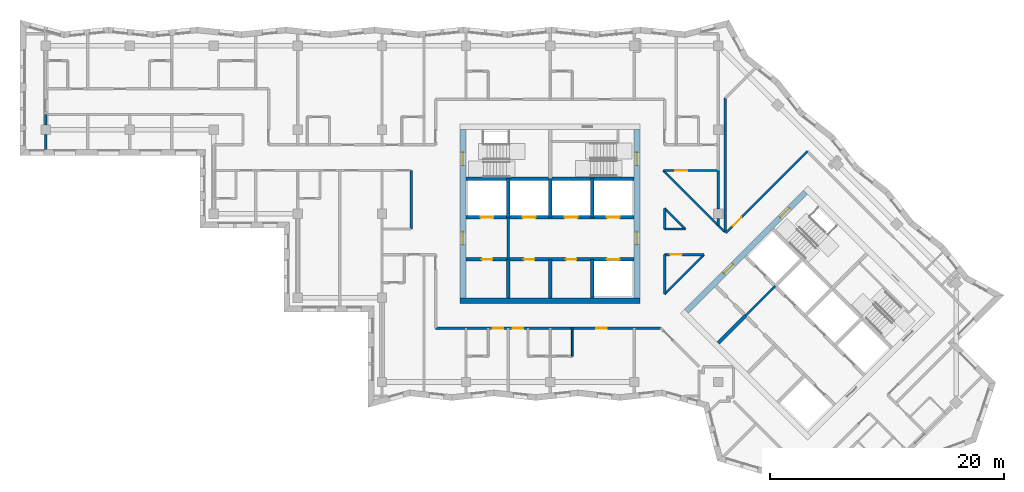
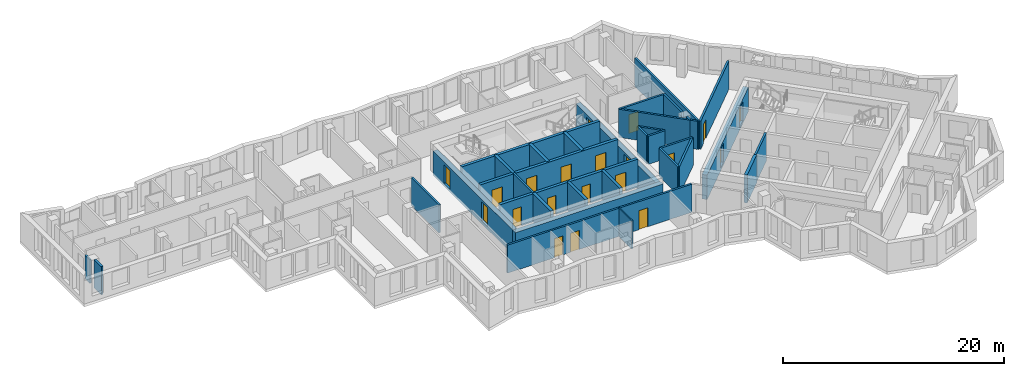
# One storey, part 4 of 12: 35 walls, 20 doors, 20 openings.
"""IFC4 building model written with IfcOpenShell, lengths in metres."""

from ifc_helpers import new_model, si_unit, direction, frame, frame_2d, origin, place, context, subcontext, project, spatial, rectangle, extrude, material, layer, layer_set, type_object, element, fill, save


model = new_model("IFC4")

# Units and contexts
model_context = context("Model", 3, precision=1e-05, world=origin(), true_north=direction((0.0, 1.0)))
body_context = subcontext(model_context, "Body", "Model", "MODEL_VIEW")
ifc_project = project(units=[si_unit("LENGTHUNIT", "METRE"), si_unit("AREAUNIT", "SQUARE_METRE"), si_unit("VOLUMEUNIT", "CUBIC_METRE"), si_unit("PLANEANGLEUNIT", "RADIAN"), si_unit("MASSUNIT", "GRAM", prefix="KILO")], contexts=[model_context])

# Site, building, storey
site_placement = place(None, origin())
site = spatial("IfcSite", under=ifc_project, at=site_placement, CompositionType="ELEMENT")
building_placement = place(site_placement, origin())
building = spatial("IfcBuilding", under=site, at=building_placement, Name="Windrow Commons", CompositionType="ELEMENT")
storey_placement = place(building_placement, frame((0.0, 0.0, 199.8)))
storey = spatial("IfcBuildingStorey", under=building, at=storey_placement, Name="L54", CompositionType="ELEMENT", Elevation=199.8)

# Walls
ifc_material_1 = material(Name="Blockwork partition", Category="masonry")
ifc_layer_1 = layer(ifc_material_1, 0.2)
ifc_layer_set_1 = layer_set([ifc_layer_1], Name="Fire lobby partition 200")
wall_type_1 = type_object("IfcWallType", Name="Fire lobby partition 200", PredefinedType="PARTITIONING", material=ifc_layer_set_1)
for number, where, z_axis, x_axis, name in (
    (1, (61.2, 53.7, 0.0), (0.0, 0.0, 1.0), (0.0, 1.0, 0.0), "W-core-lobby-A-L54"),
    (2, (81.5335, 48.8776, 0.0), (0.0, 0.0, 1.0), (0.707092892, 0.7071206701, 0.0), "W-core-lobby-B-L54"),
):
    element("IfcWall", number, at=place(storey_placement, frame(where, z_axis=z_axis, x_axis=x_axis)), inside=storey, type_object=wall_type_1, Name=name, PredefinedType="PARTITIONING", context=body_context, shape_type="SweptSolid", body=[
        extrude(rectangle(XDim=3.6, YDim=0.2, at=frame_2d((1.8, 0.0))), origin(), (0.0, 0.0, 1.0), 3.1),
    ])

# Wall, openings, doors
ifc_material_2 = material(Name="Blockwork partition", Category="masonry")
ifc_layer_2 = layer(ifc_material_2, 0.2)
ifc_layer_set_2 = layer_set([ifc_layer_2], Name="IW-CORRIDOR-200")
wall_type_2 = type_object("IfcWallType", Name="IW-CORRIDOR-200", PredefinedType="PARTITIONING", material=ifc_layer_set_2)
wall_1_placement = place(storey_placement, frame((55.0, 47.8, 0.0), z_axis=(0.0, 0.0, 1.0), x_axis=(1.0, 0.0, 0.0)))
wall_1 = element("IfcWall", 3, at=wall_1_placement, inside=storey, type_object=wall_type_2, Name="W-L54-W001", PredefinedType="PARTITIONING", context=body_context, shape_type="SweptSolid", body=[
    extrude(rectangle(XDim=19.266, YDim=0.2, at=frame_2d((9.633, 0.0))), origin(), (0.0, 0.0, 1.0), 3.1),
])
opening_1_placement = place(wall_1_placement, frame((4.9, 0.0, 0.0)))
opening_1 = element("IfcOpeningElement", 4, at=opening_1_placement, cuts=wall_1, Name="Opening D109S", PredefinedType="OPENING", context=body_context, shape_type="SweptSolid", body=[
    extrude(rectangle(XDim=0.9, YDim=2.1, at=frame_2d((0.45, 1.05))), frame((0.0, 0.11, 0.0), z_axis=(0.0, -1.0, 0.0), x_axis=(1.0, 0.0, 0.0)), (0.0, 0.0, 1.0), 0.22),
])
opening_2_placement = place(wall_1_placement, frame((6.6, 0.0, 0.0)))
opening_2 = element("IfcOpeningElement", 5, at=opening_2_placement, cuts=wall_1, Name="Opening D109S", PredefinedType="OPENING", context=body_context, shape_type="SweptSolid", body=[
    extrude(rectangle(XDim=0.9, YDim=2.1, at=frame_2d((0.45, 1.05))), frame((0.0, 0.11, 0.0), z_axis=(0.0, -1.0, 0.0), x_axis=(1.0, 0.0, 0.0)), (0.0, 0.0, 1.0), 0.22),
])
opening_3_placement = place(wall_1_placement, frame((13.7434, 0.0, 0.0)))
opening_3 = element("IfcOpeningElement", 6, at=opening_3_placement, cuts=wall_1, Name="Opening D109F", PredefinedType="OPENING", context=body_context, shape_type="SweptSolid", body=[
    extrude(rectangle(XDim=0.9, YDim=2.1, at=frame_2d((0.45, 1.05))), frame((0.0, 0.11, 0.0), z_axis=(0.0, -1.0, 0.0), x_axis=(1.0, 0.0, 0.0)), (0.0, 0.0, 1.0), 0.22),
])
ifc_material_3 = material(Name="Timber door leaf", Category="wood")
door_type_1 = type_object("IfcDoorType", Name="DT-BEDROOM-900", OperationType="SINGLE_SWING_LEFT", PredefinedType="DOOR", material=ifc_material_3)
door_1_placement = place(opening_1_placement, origin())
door_1 = element("IfcDoor", 7, at=door_1_placement, inside=storey, type_object=door_type_1, Name="D-L54-D036", OperationType="SINGLE_SWING_LEFT", OverallHeight=2.1, OverallWidth=0.9, PredefinedType="DOOR", context=body_context, shape_type="SweptSolid", body=[
    extrude(rectangle(XDim=0.9, YDim=2.1, at=frame_2d((0.45, 1.05))), frame((0.0, 0.025, 0.0), z_axis=(0.0, -1.0, 0.0), x_axis=(1.0, 0.0, 0.0)), (0.0, 0.0, 1.0), 0.05),
])
fill(opening_1, door_1)
door_2_placement = place(opening_2_placement, origin())
door_2 = element("IfcDoor", 8, at=door_2_placement, inside=storey, type_object=door_type_1, Name="D-L54-D038", OperationType="SINGLE_SWING_RIGHT", OverallHeight=2.1, OverallWidth=0.9, PredefinedType="DOOR", context=body_context, shape_type="SweptSolid", body=[
    extrude(rectangle(XDim=0.9, YDim=2.1, at=frame_2d((0.45, 1.05))), frame((0.0, 0.025, 0.0), z_axis=(0.0, -1.0, 0.0), x_axis=(1.0, 0.0, 0.0)), (0.0, 0.0, 1.0), 0.05),
])
fill(opening_2, door_2)
door_3_placement = place(opening_3_placement, origin())
door_3 = element("IfcDoor", 9, at=door_3_placement, inside=storey, type_object=door_type_1, Name="D-L54-D040", OperationType="SINGLE_SWING_LEFT", OverallHeight=2.1, OverallWidth=0.9, PredefinedType="DOOR", context=body_context, shape_type="SweptSolid", body=[
    extrude(rectangle(XDim=0.9, YDim=2.1, at=frame_2d((0.45, 1.05))), frame((0.0, 0.025, 0.0), z_axis=(0.0, -1.0, 0.0), x_axis=(1.0, 0.0, 0.0)), (0.0, 0.0, 1.0), 0.05),
])
fill(opening_3, door_3)

# Wall, opening, door
wall_2_placement = place(storey_placement, frame((79.837, 55.951, 0.0), z_axis=(0.0, 0.0, 1.0), x_axis=(0.7071067812, 0.7071067812, 0.0)))
wall_2 = element("IfcWall", 10, at=wall_2_placement, inside=storey, type_object=wall_type_2, Name="W-L54-W010", PredefinedType="PARTITIONING", context=body_context, shape_type="SweptSolid", body=[
    extrude(rectangle(XDim=9.8967, YDim=0.2, at=frame_2d((4.9483, 0.0))), origin(), (0.0, 0.0, 1.0), 3.1),
])
opening_4_placement = place(wall_2_placement, frame((0.873, 0.0, 0.0)))
opening_4 = element("IfcOpeningElement", 11, at=opening_4_placement, cuts=wall_2, Name="Opening D310F", PredefinedType="OPENING", context=body_context, shape_type="SweptSolid", body=[
    extrude(rectangle(XDim=1.0, YDim=2.1, at=frame_2d((0.5, 1.05))), frame((0.0, 0.11, 0.0), z_axis=(0.0, -1.0, 0.0), x_axis=(1.0, 0.0, 0.0)), (0.0, 0.0, 1.0), 0.22),
])
ifc_material_4 = material(Name="Timber door leaf", Category="wood")
door_type_2 = type_object("IfcDoorType", Name="DT-AMENITY-1000", OperationType="SINGLE_SWING_LEFT", PredefinedType="DOOR", material=ifc_material_4)
door_4_placement = place(opening_4_placement, origin())
door_4 = element("IfcDoor", 12, at=door_4_placement, inside=storey, type_object=door_type_2, Name="D-L54-D043", OperationType="SINGLE_SWING_RIGHT", OverallHeight=2.1, OverallWidth=1.0, PredefinedType="DOOR", context=body_context, shape_type="SweptSolid", body=[
    extrude(rectangle(XDim=1.0, YDim=2.1, at=frame_2d((0.5, 1.05))), frame((0.0, 0.025, 0.0), z_axis=(0.0, -1.0, 0.0), x_axis=(1.0, 0.0, 0.0)), (0.0, 0.0, 1.0), 0.05),
])
fill(opening_4, door_4)

# Walls
wall_3_placement = place(storey_placement, frame((74.4888, 61.3029, 0.0), z_axis=(0.0, 0.0, 1.0), x_axis=(0.7071892763, -0.7070242765, 0.0)))
element("IfcWall", 13, at=wall_3_placement, inside=storey, type_object=wall_type_2, Name="W-L54-W018", PredefinedType="PARTITIONING", context=body_context, shape_type="SweptSolid", body=[
    extrude(rectangle(XDim=6.6667, YDim=0.2, at=frame_2d((3.3333, 0.0))), origin(), (0.0, 0.0, 1.0), 3.1),
])
wall_4_placement = place(storey_placement, frame((52.9, 56.302, 0.0), z_axis=(0.0, 0.0, 1.0), x_axis=(0.0, 1.0, 0.0)))
element("IfcWall", 14, at=wall_4_placement, inside=storey, type_object=wall_type_2, Name="W-L54-W028", PredefinedType="PARTITIONING", context=body_context, shape_type="SweptSolid", body=[
    extrude(rectangle(XDim=4.998, YDim=0.2, at=frame_2d((2.499, 0.0))), origin(), (0.0, 0.0, 1.0), 3.1),
])
wall_5_placement = place(storey_placement, frame((74.601, 50.715, 0.0), z_axis=(0.0, 0.0, 1.0), x_axis=(0.7071067812, 0.7071067812, 0.0)))
element("IfcWall", 15, at=wall_5_placement, inside=storey, type_object=wall_type_2, Name="W-L54-W030", PredefinedType="PARTITIONING", context=body_context, shape_type="SweptSolid", body=[
    extrude(rectangle(XDim=4.7857, YDim=0.2, at=frame_2d((2.3929, 0.0))), origin(), (0.0, 0.0, 1.0), 3.1),
])

# Wall, opening, door
wall_6_placement = place(storey_placement, frame((74.4888, 61.3029, 0.0), z_axis=(0.0, 0.0, 1.0), x_axis=(0.9999998105, -0.0006155543, 0.0)))
wall_6 = element("IfcWall", 16, at=wall_6_placement, inside=storey, type_object=wall_type_2, Name="W-L54-W031", PredefinedType="PARTITIONING", context=body_context, shape_type="SweptSolid", body=[
    extrude(rectangle(XDim=4.7112, YDim=0.2, at=frame_2d((2.3556, 0.0))), origin(), (0.0, 0.0, 1.0), 3.1),
])
opening_5_placement = place(wall_6_placement, frame((1.0366, 0.0, 0.0)))
opening_5 = element("IfcOpeningElement", 17, at=opening_5_placement, cuts=wall_6, Name="Opening D410F", PredefinedType="OPENING", context=body_context, shape_type="SweptSolid", body=[
    extrude(rectangle(XDim=1.0, YDim=2.1, at=frame_2d((0.5, 1.05))), frame((0.0, 0.11, 0.0), z_axis=(0.0, -1.0, 0.0), x_axis=(1.0, 0.0, 0.0)), (0.0, 0.0, 1.0), 0.22),
])
ifc_material_5 = material(Name="Timber door leaf", Category="wood")
door_type_3 = type_object("IfcDoorType", Name="DT-SERVICE-1000", OperationType="SINGLE_SWING_LEFT", PredefinedType="DOOR", material=ifc_material_5)
door_5_placement = place(opening_5_placement, origin())
door_5 = element("IfcDoor", 18, at=door_5_placement, inside=storey, type_object=door_type_3, Name="D-L54-D028", OperationType="SINGLE_SWING_RIGHT", OverallHeight=2.1, OverallWidth=1.0, PredefinedType="DOOR", context=body_context, shape_type="SweptSolid", body=[
    extrude(rectangle(XDim=1.0, YDim=2.1, at=frame_2d((0.5, 1.05))), frame((0.0, 0.025, 0.0), z_axis=(0.0, -1.0, 0.0), x_axis=(1.0, 0.0, 0.0)), (0.0, 0.0, 1.0), 0.05),
])
fill(opening_5, door_5)

# Wall
wall_7_placement = place(storey_placement, frame((74.6, 50.714, 0.0), z_axis=(0.0, 0.0, 1.0), x_axis=(0.0, 1.0, 0.0)))
element("IfcWall", 19, at=wall_7_placement, inside=storey, type_object=wall_type_2, Name="W-L54-W046", PredefinedType="PARTITIONING", context=body_context, shape_type="SweptSolid", body=[
    extrude(rectangle(XDim=3.386, YDim=0.2, at=frame_2d((1.693, 0.0))), origin(), (0.0, 0.0, 1.0), 3.1),
])

# Wall, opening, door
wall_8_placement = place(storey_placement, frame((74.602, 54.1, 0.0), z_axis=(0.0, 0.0, 1.0), x_axis=(1.0, 0.0, 0.0)))
wall_8 = element("IfcWall", 20, at=wall_8_placement, inside=storey, type_object=wall_type_2, Name="W-L54-W047", PredefinedType="PARTITIONING", context=body_context, shape_type="SweptSolid", body=[
    extrude(rectangle(XDim=3.384, YDim=0.2, at=frame_2d((1.692, 0.0))), origin(), (0.0, 0.0, 1.0), 3.1),
])
opening_6_placement = place(wall_8_placement, frame((0.4665, 0.0, 0.0)))
opening_6 = element("IfcOpeningElement", 21, at=opening_6_placement, cuts=wall_8, Name="Opening D310F", PredefinedType="OPENING", context=body_context, shape_type="SweptSolid", body=[
    extrude(rectangle(XDim=1.0, YDim=2.1, at=frame_2d((0.5, 1.05))), frame((0.0, 0.11, 0.0), z_axis=(0.0, -1.0, 0.0), x_axis=(1.0, 0.0, 0.0)), (0.0, 0.0, 1.0), 0.22),
])
door_6_placement = place(opening_6_placement, origin())
door_6 = element("IfcDoor", 22, at=door_6_placement, inside=storey, type_object=door_type_2, Name="D-L54-D000", OperationType="SINGLE_SWING_RIGHT", OverallHeight=2.1, OverallWidth=1.0, PredefinedType="DOOR", context=body_context, shape_type="SweptSolid", body=[
    extrude(rectangle(XDim=1.0, YDim=2.1, at=frame_2d((0.5, 1.05))), frame((0.0, 0.025, 0.0), z_axis=(0.0, -1.0, 0.0), x_axis=(1.0, 0.0, 0.0)), (0.0, 0.0, 1.0), 0.05),
])
fill(opening_6, door_6)

# Walls
wall_9_placement = place(storey_placement, frame((74.5987, 58.0687, 0.0), z_axis=(0.0, 0.0, 1.0), x_axis=(0.7071067812, -0.7071067812, 0.0)))
element("IfcWall", 23, at=wall_9_placement, inside=storey, type_object=wall_type_2, Name="W-L54-W056", PredefinedType="PARTITIONING", context=body_context, shape_type="SweptSolid", body=[
    extrude(rectangle(XDim=2.5032, YDim=0.2, at=frame_2d((1.2516, 0.0))), origin(), (0.0, 0.0, 1.0), 3.1),
])
for number, where, z_axis, x_axis, name in (
    (24, (74.6, 56.302, 0.0), (0.0, 0.0, 1.0), (0.0, 1.0, 0.0), "W-L54-W122"),
    (25, (74.602, 56.3, 0.0), (0.0, 0.0, 1.0), (1.0, 0.0, 0.0), "W-L54-W123"),
):
    element("IfcWall", number, at=place(storey_placement, frame(where, z_axis=z_axis, x_axis=x_axis)), inside=storey, type_object=wall_type_2, Name=name, PredefinedType="PARTITIONING", context=body_context, shape_type="SweptSolid", body=[
        extrude(rectangle(XDim=1.77, YDim=0.2, at=frame_2d((0.885, 0.0))), origin(), (0.0, 0.0, 1.0), 3.1),
    ])
wall_10_placement = place(storey_placement, frame((79.2019, 56.5879, 0.0), z_axis=(0.0, 0.0, 1.0), x_axis=(0.7056768426, -0.7085338339, 0.0)))
element("IfcWall", 26, at=wall_10_placement, inside=storey, type_object=wall_type_2, Name="W-L54-W146", PredefinedType="PARTITIONING", context=body_context, shape_type="SweptSolid", body=[
    extrude(rectangle(XDim=0.7, YDim=0.2, at=frame_2d((0.35, 0.0))), origin(), (0.0, 0.0, 1.0), 3.1),
])
ifc_material_6 = material(Name="Blockwork partition", Category="masonry")
ifc_layer_3 = layer(ifc_material_6, 0.15)
ifc_layer_set_3 = layer_set([ifc_layer_3], Name="IW-ENSUITE-150")
wall_type_3 = type_object("IfcWallType", Name="IW-ENSUITE-150", PredefinedType="PARTITIONING", material=ifc_layer_set_3)
wall_11_placement = place(storey_placement, frame((66.7, 45.4, 0.0), z_axis=(0.0, 0.0, 1.0), x_axis=(0.0, 1.0, 0.0)))
element("IfcWall", 27, at=wall_11_placement, inside=storey, type_object=wall_type_3, Name="W-L54-W083", PredefinedType="PARTITIONING", context=body_context, shape_type="SweptSolid", body=[
    extrude(rectangle(XDim=2.4, YDim=0.15, at=frame_2d((1.2, 0.0))), origin(), (0.0, 0.0, 1.0), 3.1),
])
ifc_material_7 = material(Name="Blockwork partition", Category="masonry")
ifc_layer_4 = layer(ifc_material_7, 0.2)
ifc_layer_set_4 = layer_set([ifc_layer_4], Name="IW-PARTY-200")
wall_type_4 = type_object("IfcWallType", Name="IW-PARTY-200", PredefinedType="PARTITIONING", material=ifc_layer_set_4)
wall_12_placement = place(storey_placement, frame((79.8, 55.986, 0.0), z_axis=(0.0, 0.0, 1.0), x_axis=(0.0, 1.0, 0.0)))
element("IfcWall", 28, at=wall_12_placement, inside=storey, type_object=wall_type_4, Name="W-L54-W008", PredefinedType="PARTITIONING", context=body_context, shape_type="SweptSolid", body=[
    extrude(rectangle(XDim=11.522, YDim=0.2, at=frame_2d((5.761, 0.0))), origin(), (0.0, 0.0, 1.0), 3.1),
])
wall_13_placement = place(storey_placement, frame((79.2, 58.0, 0.0), z_axis=(0.0, 0.0, 1.0), x_axis=(0.0, 1.0, 0.0)))
element("IfcWall", 29, at=wall_13_placement, inside=storey, type_object=wall_type_4, Name="W-L54-W049", PredefinedType="PARTITIONING", context=body_context, shape_type="SweptSolid", body=[
    extrude(rectangle(XDim=3.3, YDim=0.2, at=frame_2d((1.65, 0.0))), origin(), (0.0, 0.0, 1.0), 3.1),
])
wall_14_placement = place(storey_placement, frame((21.6, 63.109, 0.0), z_axis=(0.0, 0.0, 1.0), x_axis=(0.0, 1.0, 0.0)))
element("IfcWall", 30, at=wall_14_placement, inside=storey, type_object=wall_type_4, Name="W-L54-W126", PredefinedType="PARTITIONING", context=body_context, shape_type="SweptSolid", body=[
    extrude(rectangle(XDim=1.291, YDim=0.2, at=frame_2d((0.6455, 0.0))), origin(), (0.0, 0.0, 1.0), 3.1),
])
wall_15_placement = place(storey_placement, frame((21.6, 65.2, 0.0), z_axis=(0.0, 0.0, 1.0), x_axis=(0.0, 1.0, 0.0)))
element("IfcWall", 31, at=wall_15_placement, inside=storey, type_object=wall_type_4, Name="W-L54-W139", PredefinedType="PARTITIONING", context=body_context, shape_type="SweptSolid", body=[
    extrude(rectangle(XDim=0.9, YDim=0.2, at=frame_2d((0.45, 0.0))), origin(), (0.0, 0.0, 1.0), 2.6),
])
wall_16_placement = place(storey_placement, frame((79.2, 56.586, 0.0), z_axis=(0.0, 0.0, 1.0), x_axis=(0.0, 1.0, 0.0)))
element("IfcWall", 32, at=wall_16_placement, inside=storey, type_object=wall_type_4, Name="W-L54-W151", PredefinedType="PARTITIONING", context=body_context, shape_type="SweptSolid", body=[
    extrude(rectangle(XDim=0.614, YDim=0.2, at=frame_2d((0.307, 0.0))), origin(), (0.0, 0.0, 1.0), 3.1),
])
ifc_material_8 = material(Name="Concrete C40/50", Category="concrete")
ifc_layer_5 = layer(ifc_material_8, 0.5)
ifc_layer_set_5 = layer_set([ifc_layer_5], Name="RC CORE WALL 500 C40/50")
wall_type_5 = type_object("IfcWallType", Name="RC CORE WALL 500 C40/50", PredefinedType="SHEAR", material=ifc_layer_set_5)
wall_17_placement = place(storey_placement, frame((57.1, 50.15, -0.3), z_axis=(0.0, 0.0, 1.0), x_axis=(1.0, 0.0, 0.0)))
element("IfcWall", 33, at=wall_17_placement, inside=storey, type_object=wall_type_5, Name="Core A wall outer-S", PredefinedType="SHEAR", context=body_context, shape_type="SweptSolid", body=[
    extrude(rectangle(XDim=15.4, YDim=0.5, at=frame_2d((7.7, 0.0))), origin(), (0.0, 0.0, 1.0), 2.7),
])

# Wall, openings, doors
wall_18_placement = place(storey_placement, frame((57.35, 50.4, -0.3), z_axis=(0.0, 0.0, 1.0), x_axis=(0.0, 1.0, 0.0)))
wall_18 = element("IfcWall", 34, at=wall_18_placement, inside=storey, type_object=wall_type_5, Name="Core A wall outer-W", PredefinedType="SHEAR", context=body_context, shape_type="SweptSolid", body=[
    extrude(rectangle(XDim=14.4, YDim=0.5, at=frame_2d((7.2, 0.0))), origin(), (0.0, 0.0, 1.0), 2.7),
])
opening_7_placement = place(wall_18_placement, frame((4.55, 0.0, 0.3)))
opening_7 = element("IfcOpeningElement", 35, at=opening_7_placement, cuts=wall_18, Name="Opening D6", PredefinedType="OPENING", context=body_context, shape_type="SweptSolid", body=[
    extrude(rectangle(XDim=1.1, YDim=2.1, at=frame_2d((0.55, 1.05))), frame((0.0, 0.26, 0.0), z_axis=(0.0, -1.0, 0.0), x_axis=(1.0, 0.0, 0.0)), (0.0, 0.0, 1.0), 0.52),
])
opening_8_placement = place(wall_18_placement, frame((11.35, 0.0, 0.3)))
opening_8 = element("IfcOpeningElement", 36, at=opening_8_placement, cuts=wall_18, Name="Opening D7", PredefinedType="OPENING", context=body_context, shape_type="SweptSolid", body=[
    extrude(rectangle(XDim=1.1, YDim=2.1, at=frame_2d((0.55, 1.05))), frame((0.0, 0.26, 0.0), z_axis=(0.0, -1.0, 0.0), x_axis=(1.0, 0.0, 0.0)), (0.0, 0.0, 1.0), 0.52),
])
ifc_material_9 = material(Name="Steel fire door leaf", Category="steel")
door_type_4 = type_object("IfcDoorType", Name="Core lobby door 1100", OperationType="SINGLE_SWING_LEFT", PredefinedType="DOOR", material=ifc_material_9)
door_7_placement = place(opening_7_placement, origin())
door_7 = element("IfcDoor", 37, at=door_7_placement, inside=storey, type_object=door_type_4, Name="Lift lobby door", OperationType="DOUBLE_DOOR_SINGLE_SWING", OverallHeight=2.1, OverallWidth=1.1, PredefinedType="DOOR", context=body_context, shape_type="SweptSolid", body=[
    extrude(rectangle(XDim=1.1, YDim=2.1, at=frame_2d((0.55, 1.05))), frame((0.0, 0.025, 0.0), z_axis=(0.0, -1.0, 0.0), x_axis=(1.0, 0.0, 0.0)), (0.0, 0.0, 1.0), 0.05),
])
fill(opening_7, door_7)
ifc_material_10 = material(Name="Steel fire door leaf", Category="steel")
door_type_5 = type_object("IfcDoorType", Name="Stair door 1100", OperationType="SINGLE_SWING_LEFT", PredefinedType="DOOR", material=ifc_material_10)
door_8_placement = place(opening_8_placement, origin())
door_8 = element("IfcDoor", 38, at=door_8_placement, inside=storey, type_object=door_type_5, Name="Stair door", OperationType="SINGLE_SWING_LEFT", OverallHeight=2.1, OverallWidth=1.1, PredefinedType="DOOR", context=body_context, shape_type="SweptSolid", body=[
    extrude(rectangle(XDim=1.1, YDim=2.1, at=frame_2d((0.55, 1.05))), frame((0.0, 0.025, 0.0), z_axis=(0.0, -1.0, 0.0), x_axis=(1.0, 0.0, 0.0)), (0.0, 0.0, 1.0), 0.05),
])
fill(opening_8, door_8)

wall_19_placement = place(storey_placement, frame((72.25, 50.4, -0.3), z_axis=(0.0, 0.0, 1.0), x_axis=(0.0, 1.0, 0.0)))
wall_19 = element("IfcWall", 39, at=wall_19_placement, inside=storey, type_object=wall_type_5, Name="Core A wall outer-E", PredefinedType="SHEAR", context=body_context, shape_type="SweptSolid", body=[
    extrude(rectangle(XDim=14.4, YDim=0.5, at=frame_2d((7.2, 0.0))), origin(), (0.0, 0.0, 1.0), 2.7),
])
opening_9_placement = place(wall_19_placement, frame((4.55, 0.0, 0.3)))
opening_9 = element("IfcOpeningElement", 40, at=opening_9_placement, cuts=wall_19, Name="Opening D6", PredefinedType="OPENING", context=body_context, shape_type="SweptSolid", body=[
    extrude(rectangle(XDim=1.1, YDim=2.1, at=frame_2d((0.55, 1.05))), frame((0.0, 0.26, 0.0), z_axis=(0.0, -1.0, 0.0), x_axis=(1.0, 0.0, 0.0)), (0.0, 0.0, 1.0), 0.52),
])
opening_10_placement = place(wall_19_placement, frame((11.35, 0.0, 0.3)))
opening_10 = element("IfcOpeningElement", 41, at=opening_10_placement, cuts=wall_19, Name="Opening D7", PredefinedType="OPENING", context=body_context, shape_type="SweptSolid", body=[
    extrude(rectangle(XDim=1.1, YDim=2.1, at=frame_2d((0.55, 1.05))), frame((0.0, 0.26, 0.0), z_axis=(0.0, -1.0, 0.0), x_axis=(1.0, 0.0, 0.0)), (0.0, 0.0, 1.0), 0.52),
])
door_9_placement = place(opening_9_placement, origin())
door_9 = element("IfcDoor", 42, at=door_9_placement, inside=storey, type_object=door_type_4, Name="Lift lobby door", OperationType="DOUBLE_DOOR_SINGLE_SWING", OverallHeight=2.1, OverallWidth=1.1, PredefinedType="DOOR", context=body_context, shape_type="SweptSolid", body=[
    extrude(rectangle(XDim=1.1, YDim=2.1, at=frame_2d((0.55, 1.05))), frame((0.0, 0.025, 0.0), z_axis=(0.0, -1.0, 0.0), x_axis=(1.0, 0.0, 0.0)), (0.0, 0.0, 1.0), 0.05),
])
fill(opening_9, door_9)
door_10_placement = place(opening_10_placement, origin())
door_10 = element("IfcDoor", 43, at=door_10_placement, inside=storey, type_object=door_type_5, Name="Stair door", OperationType="SINGLE_SWING_RIGHT", OverallHeight=2.1, OverallWidth=1.1, PredefinedType="DOOR", context=body_context, shape_type="SweptSolid", body=[
    extrude(rectangle(XDim=1.1, YDim=2.1, at=frame_2d((0.55, 1.05))), frame((0.0, 0.025, 0.0), z_axis=(0.0, -1.0, 0.0), x_axis=(1.0, 0.0, 0.0)), (0.0, 0.0, 1.0), 0.05),
])
fill(opening_10, door_10)

wall_20_placement = place(storey_placement, frame((76.4776, 49.2665, -0.3), z_axis=(0.0, 0.0, 1.0), x_axis=(0.7071067812, 0.7071067812, 0.0)))
wall_20 = element("IfcWall", 44, at=wall_20_placement, inside=storey, type_object=wall_type_5, Name="Core B wall outer-W", PredefinedType="SHEAR", context=body_context, shape_type="SweptSolid", body=[
    extrude(rectangle(XDim=14.4001, YDim=0.5, at=frame_2d((7.2001, 0.0))), origin(), (0.0, 0.0, 1.0), 2.7),
])
opening_11_placement = place(wall_20_placement, frame((4.55, 0.0, 0.3)))
opening_11 = element("IfcOpeningElement", 45, at=opening_11_placement, cuts=wall_20, Name="Opening D6", PredefinedType="OPENING", context=body_context, shape_type="SweptSolid", body=[
    extrude(rectangle(XDim=1.1, YDim=2.1, at=frame_2d((0.55, 1.05))), frame((0.0, 0.26, 0.0), z_axis=(0.0, -1.0, 0.0), x_axis=(1.0, 0.0, 0.0)), (0.0, 0.0, 1.0), 0.52),
])
opening_12_placement = place(wall_20_placement, frame((11.35, 0.0, 0.3)))
opening_12 = element("IfcOpeningElement", 46, at=opening_12_placement, cuts=wall_20, Name="Opening D7", PredefinedType="OPENING", context=body_context, shape_type="SweptSolid", body=[
    extrude(rectangle(XDim=1.1, YDim=2.1, at=frame_2d((0.55, 1.05))), frame((0.0, 0.26, 0.0), z_axis=(0.0, -1.0, 0.0), x_axis=(1.0, 0.0, 0.0)), (0.0, 0.0, 1.0), 0.52),
])
door_11_placement = place(opening_11_placement, origin())
door_11 = element("IfcDoor", 47, at=door_11_placement, inside=storey, type_object=door_type_4, Name="Lift lobby door", OperationType="DOUBLE_DOOR_SINGLE_SWING", OverallHeight=2.1, OverallWidth=1.1, PredefinedType="DOOR", context=body_context, shape_type="SweptSolid", body=[
    extrude(rectangle(XDim=1.1, YDim=2.1, at=frame_2d((0.55, 1.05))), frame((0.0, 0.025, 0.0), z_axis=(0.0, -1.0, 0.0), x_axis=(1.0, 0.0, 0.0)), (0.0, 0.0, 1.0), 0.05),
])
fill(opening_11, door_11)
door_12_placement = place(opening_12_placement, origin())
door_12 = element("IfcDoor", 48, at=door_12_placement, inside=storey, type_object=door_type_5, Name="Stair door", OperationType="SINGLE_SWING_LEFT", OverallHeight=2.1, OverallWidth=1.1, PredefinedType="DOOR", context=body_context, shape_type="SweptSolid", body=[
    extrude(rectangle(XDim=1.1, YDim=2.1, at=frame_2d((0.55, 1.05))), frame((0.0, 0.025, 0.0), z_axis=(0.0, -1.0, 0.0), x_axis=(1.0, 0.0, 0.0)), (0.0, 0.0, 1.0), 0.05),
])
fill(opening_12, door_12)

# Walls
ifc_material_11 = material(Name="Concrete C40/50", Category="concrete")
ifc_layer_6 = layer(ifc_material_11, 0.3)
ifc_layer_set_6 = layer_set([ifc_layer_6], Name="RC SHAFT WALL 300 C40/50")
wall_type_6 = type_object("IfcWallType", Name="RC SHAFT WALL 300 C40/50", PredefinedType="SOLIDWALL", material=ifc_layer_set_6)
for number, where, z_axis, x_axis, name in (
    (49, (61.2, 50.4, 0.0), (0.0, 0.0, 1.0), (0.0, 1.0, 0.0), "Core A wall shaft-S1"),
    (50, (61.2, 57.3, 0.0), (0.0, 0.0, 1.0), (0.0, 1.0, 0.0), "Core A wall shaft-N1"),
    (51, (64.8, 50.4, 0.0), (0.0, 0.0, 1.0), (0.0, 1.0, 0.0), "Core A wall shaft-S2"),
    (52, (64.8, 57.3, 0.0), (0.0, 0.0, 1.0), (0.0, 1.0, 0.0), "Core A wall shaft-N2"),
    (53, (68.4, 50.4, 0.0), (0.0, 0.0, 1.0), (0.0, 1.0, 0.0), "Core A wall shaft-S3"),
    (54, (68.4, 57.3, 0.0), (0.0, 0.0, 1.0), (0.0, 1.0, 0.0), "Core A wall shaft-N3"),
):
    element("IfcWall", number, at=place(storey_placement, frame(where, z_axis=z_axis, x_axis=x_axis)), inside=storey, type_object=wall_type_6, Name=name, PredefinedType="SOLIDWALL", context=body_context, shape_type="SweptSolid", body=[
        extrude(rectangle(XDim=3.3, YDim=0.3, at=frame_2d((1.65, 0.0))), origin(), (0.0, 0.0, 1.0), 3.1),
    ])

# Wall, openings, doors
wall_21_placement = place(storey_placement, frame((57.6, 53.7, 0.0), z_axis=(0.0, 0.0, 1.0), x_axis=(1.0, 0.0, 0.0)))
wall_21 = element("IfcWall", 55, at=wall_21_placement, inside=storey, type_object=wall_type_6, Name="Core A wall lobby-S", PredefinedType="SOLIDWALL", context=body_context, shape_type="SweptSolid", body=[
    extrude(rectangle(XDim=14.4, YDim=0.3, at=frame_2d((7.2, 0.0))), origin(), (0.0, 0.0, 1.0), 3.1),
])
opening_13_placement = place(wall_21_placement, frame((1.35, 0.0, 0.0)))
opening_13 = element("IfcOpeningElement", 56, at=opening_13_placement, cuts=wall_21, Name="Opening D8", PredefinedType="OPENING", context=body_context, shape_type="SweptSolid", body=[
    extrude(rectangle(XDim=0.9, YDim=2.1, at=frame_2d((0.45, 1.05))), frame((0.0, 0.16, 0.0), z_axis=(0.0, -1.0, 0.0), x_axis=(1.0, 0.0, 0.0)), (0.0, 0.0, 1.0), 0.32),
])
opening_14_placement = place(wall_21_placement, frame((4.95, 0.0, 0.0)))
opening_14 = element("IfcOpeningElement", 57, at=opening_14_placement, cuts=wall_21, Name="Opening D8", PredefinedType="OPENING", context=body_context, shape_type="SweptSolid", body=[
    extrude(rectangle(XDim=0.9, YDim=2.1, at=frame_2d((0.45, 1.05))), frame((0.0, 0.16, 0.0), z_axis=(0.0, -1.0, 0.0), x_axis=(1.0, 0.0, 0.0)), (0.0, 0.0, 1.0), 0.32),
])
opening_15_placement = place(wall_21_placement, frame((8.55, 0.0, 0.0)))
opening_15 = element("IfcOpeningElement", 58, at=opening_15_placement, cuts=wall_21, Name="Opening D8", PredefinedType="OPENING", context=body_context, shape_type="SweptSolid", body=[
    extrude(rectangle(XDim=0.9, YDim=2.1, at=frame_2d((0.45, 1.05))), frame((0.0, 0.16, 0.0), z_axis=(0.0, -1.0, 0.0), x_axis=(1.0, 0.0, 0.0)), (0.0, 0.0, 1.0), 0.32),
])
opening_16_placement = place(wall_21_placement, frame((12.05, 0.0, 0.0)))
opening_16 = element("IfcOpeningElement", 59, at=opening_16_placement, cuts=wall_21, Name="Opening LD", PredefinedType="OPENING", context=body_context, shape_type="SweptSolid", body=[
    extrude(rectangle(XDim=1.1, YDim=2.1, at=frame_2d((0.55, 1.05))), frame((0.0, 0.16, 0.0), z_axis=(0.0, -1.0, 0.0), x_axis=(1.0, 0.0, 0.0)), (0.0, 0.0, 1.0), 0.32),
])
ifc_material_12 = material(Name="Steel fire door leaf", Category="steel")
door_type_6 = type_object("IfcDoorType", Name="Core store door 900", OperationType="SINGLE_SWING_LEFT", PredefinedType="DOOR", material=ifc_material_12)
door_13_placement = place(opening_13_placement, origin())
door_13 = element("IfcDoor", 60, at=door_13_placement, inside=storey, type_object=door_type_6, Name="Store door", OperationType="SINGLE_SWING_LEFT", OverallHeight=2.1, OverallWidth=0.9, PredefinedType="DOOR", context=body_context, shape_type="SweptSolid", body=[
    extrude(rectangle(XDim=0.9, YDim=2.1, at=frame_2d((0.45, 1.05))), frame((0.0, 0.025, 0.0), z_axis=(0.0, -1.0, 0.0), x_axis=(1.0, 0.0, 0.0)), (0.0, 0.0, 1.0), 0.05),
])
fill(opening_13, door_13)
door_14_placement = place(opening_14_placement, origin())
door_14 = element("IfcDoor", 61, at=door_14_placement, inside=storey, type_object=door_type_6, Name="Store door", OperationType="SINGLE_SWING_LEFT", OverallHeight=2.1, OverallWidth=0.9, PredefinedType="DOOR", context=body_context, shape_type="SweptSolid", body=[
    extrude(rectangle(XDim=0.9, YDim=2.1, at=frame_2d((0.45, 1.05))), frame((0.0, 0.025, 0.0), z_axis=(0.0, -1.0, 0.0), x_axis=(1.0, 0.0, 0.0)), (0.0, 0.0, 1.0), 0.05),
])
fill(opening_14, door_14)
door_15_placement = place(opening_15_placement, origin())
door_15 = element("IfcDoor", 62, at=door_15_placement, inside=storey, type_object=door_type_6, Name="Store door", OperationType="SINGLE_SWING_LEFT", OverallHeight=2.1, OverallWidth=0.9, PredefinedType="DOOR", context=body_context, shape_type="SweptSolid", body=[
    extrude(rectangle(XDim=0.9, YDim=2.1, at=frame_2d((0.45, 1.05))), frame((0.0, 0.025, 0.0), z_axis=(0.0, -1.0, 0.0), x_axis=(1.0, 0.0, 0.0)), (0.0, 0.0, 1.0), 0.05),
])
fill(opening_15, door_15)
ifc_material_13 = material(Name="Stainless steel door leaf", Category="steel")
door_type_7 = type_object("IfcDoorType", Name="Lift landing door 1100", OperationType="SLIDING_TO_LEFT", PredefinedType="DOOR", material=ifc_material_13)
door_16_placement = place(opening_16_placement, origin())
door_16 = element("IfcDoor", 63, at=door_16_placement, inside=storey, type_object=door_type_7, Name="Lift landing door", OperationType="SLIDING_TO_RIGHT", OverallHeight=2.1, OverallWidth=1.1, PredefinedType="DOOR", context=body_context, shape_type="SweptSolid", body=[
    extrude(rectangle(XDim=1.1, YDim=2.1, at=frame_2d((0.55, 1.05))), frame((0.0, 0.025, 0.0), z_axis=(0.0, -1.0, 0.0), x_axis=(1.0, 0.0, 0.0)), (0.0, 0.0, 1.0), 0.05),
])
fill(opening_16, door_16)

wall_22_placement = place(storey_placement, frame((57.6, 57.3, 0.0), z_axis=(0.0, 0.0, 1.0), x_axis=(1.0, 0.0, 0.0)))
wall_22 = element("IfcWall", 64, at=wall_22_placement, inside=storey, type_object=wall_type_6, Name="Core A wall lobby-N", PredefinedType="SOLIDWALL", context=body_context, shape_type="SweptSolid", body=[
    extrude(rectangle(XDim=14.4, YDim=0.3, at=frame_2d((7.2, 0.0))), origin(), (0.0, 0.0, 1.0), 3.1),
])
opening_17_placement = place(wall_22_placement, frame((1.25, 0.0, 0.0)))
opening_17 = element("IfcOpeningElement", 65, at=opening_17_placement, cuts=wall_22, Name="Opening LD", PredefinedType="OPENING", context=body_context, shape_type="SweptSolid", body=[
    extrude(rectangle(XDim=1.1, YDim=2.1, at=frame_2d((0.55, 1.05))), frame((0.0, 0.16, 0.0), z_axis=(0.0, -1.0, 0.0), x_axis=(1.0, 0.0, 0.0)), (0.0, 0.0, 1.0), 0.32),
])
opening_18_placement = place(wall_22_placement, frame((4.85, 0.0, 0.0)))
opening_18 = element("IfcOpeningElement", 66, at=opening_18_placement, cuts=wall_22, Name="Opening LD", PredefinedType="OPENING", context=body_context, shape_type="SweptSolid", body=[
    extrude(rectangle(XDim=1.1, YDim=2.1, at=frame_2d((0.55, 1.05))), frame((0.0, 0.16, 0.0), z_axis=(0.0, -1.0, 0.0), x_axis=(1.0, 0.0, 0.0)), (0.0, 0.0, 1.0), 0.32),
])
opening_19_placement = place(wall_22_placement, frame((8.45, 0.0, 0.0)))
opening_19 = element("IfcOpeningElement", 67, at=opening_19_placement, cuts=wall_22, Name="Opening LD", PredefinedType="OPENING", context=body_context, shape_type="SweptSolid", body=[
    extrude(rectangle(XDim=1.1, YDim=2.1, at=frame_2d((0.55, 1.05))), frame((0.0, 0.16, 0.0), z_axis=(0.0, -1.0, 0.0), x_axis=(1.0, 0.0, 0.0)), (0.0, 0.0, 1.0), 0.32),
])
opening_20_placement = place(wall_22_placement, frame((12.05, 0.0, 0.0)))
opening_20 = element("IfcOpeningElement", 68, at=opening_20_placement, cuts=wall_22, Name="Opening LD", PredefinedType="OPENING", context=body_context, shape_type="SweptSolid", body=[
    extrude(rectangle(XDim=1.1, YDim=2.1, at=frame_2d((0.55, 1.05))), frame((0.0, 0.16, 0.0), z_axis=(0.0, -1.0, 0.0), x_axis=(1.0, 0.0, 0.0)), (0.0, 0.0, 1.0), 0.32),
])
door_17_placement = place(opening_17_placement, origin())
door_17 = element("IfcDoor", 69, at=door_17_placement, inside=storey, type_object=door_type_7, Name="Lift landing door", OperationType="SLIDING_TO_LEFT", OverallHeight=2.1, OverallWidth=1.1, PredefinedType="DOOR", context=body_context, shape_type="SweptSolid", body=[
    extrude(rectangle(XDim=1.1, YDim=2.1, at=frame_2d((0.55, 1.05))), frame((0.0, 0.025, 0.0), z_axis=(0.0, -1.0, 0.0), x_axis=(1.0, 0.0, 0.0)), (0.0, 0.0, 1.0), 0.05),
])
fill(opening_17, door_17)
door_18_placement = place(opening_18_placement, origin())
door_18 = element("IfcDoor", 70, at=door_18_placement, inside=storey, type_object=door_type_7, Name="Lift landing door", OperationType="SLIDING_TO_RIGHT", OverallHeight=2.1, OverallWidth=1.1, PredefinedType="DOOR", context=body_context, shape_type="SweptSolid", body=[
    extrude(rectangle(XDim=1.1, YDim=2.1, at=frame_2d((0.55, 1.05))), frame((0.0, 0.025, 0.0), z_axis=(0.0, -1.0, 0.0), x_axis=(1.0, 0.0, 0.0)), (0.0, 0.0, 1.0), 0.05),
])
fill(opening_18, door_18)
door_19_placement = place(opening_19_placement, origin())
door_19 = element("IfcDoor", 71, at=door_19_placement, inside=storey, type_object=door_type_7, Name="Lift landing door", OperationType="SLIDING_TO_LEFT", OverallHeight=2.1, OverallWidth=1.1, PredefinedType="DOOR", context=body_context, shape_type="SweptSolid", body=[
    extrude(rectangle(XDim=1.1, YDim=2.1, at=frame_2d((0.55, 1.05))), frame((0.0, 0.025, 0.0), z_axis=(0.0, -1.0, 0.0), x_axis=(1.0, 0.0, 0.0)), (0.0, 0.0, 1.0), 0.05),
])
fill(opening_19, door_19)
door_20_placement = place(opening_20_placement, origin())
door_20 = element("IfcDoor", 72, at=door_20_placement, inside=storey, type_object=door_type_7, Name="Lift landing door", OperationType="SLIDING_TO_RIGHT", OverallHeight=2.1, OverallWidth=1.1, PredefinedType="DOOR", context=body_context, shape_type="SweptSolid", body=[
    extrude(rectangle(XDim=1.1, YDim=2.1, at=frame_2d((0.55, 1.05))), frame((0.0, 0.025, 0.0), z_axis=(0.0, -1.0, 0.0), x_axis=(1.0, 0.0, 0.0)), (0.0, 0.0, 1.0), 0.05),
])
fill(opening_20, door_20)

# Walls
for number, where, z_axis, x_axis, name in (
    (73, (57.6, 60.6, 0.0), (0.0, 0.0, 1.0), (1.0, 0.0, 0.0), "Core A wall stair-S"),
    (74, (64.8, 60.6, 0.0), (0.0, 0.0, 1.0), (1.0, 0.0, 0.0), "Core A wall stair-S2"),
):
    element("IfcWall", number, at=place(storey_placement, frame(where, z_axis=z_axis, x_axis=x_axis)), inside=storey, type_object=wall_type_6, Name=name, PredefinedType="SOLIDWALL", context=body_context, shape_type="SweptSolid", body=[
        extrude(rectangle(XDim=7.2, YDim=0.3, at=frame_2d((3.6, 0.0))), origin(), (0.0, 0.0, 1.0), 3.1),
    ])
wall_23_placement = place(storey_placement, frame((79.2, 46.5442, 0.0), z_axis=(0.0, 0.0, 1.0), x_axis=(0.7071219326, 0.7070916295, 0.0)))
element("IfcWall", 75, at=wall_23_placement, inside=storey, type_object=wall_type_6, Name="Core B wall shaft-S1", PredefinedType="SOLIDWALL", context=body_context, shape_type="SweptSolid", body=[
    extrude(rectangle(XDim=3.3, YDim=0.3, at=frame_2d((1.65, 0.0))), origin(), (0.0, 0.0, 1.0), 3.1),
])

save(model, "model.ifc")
